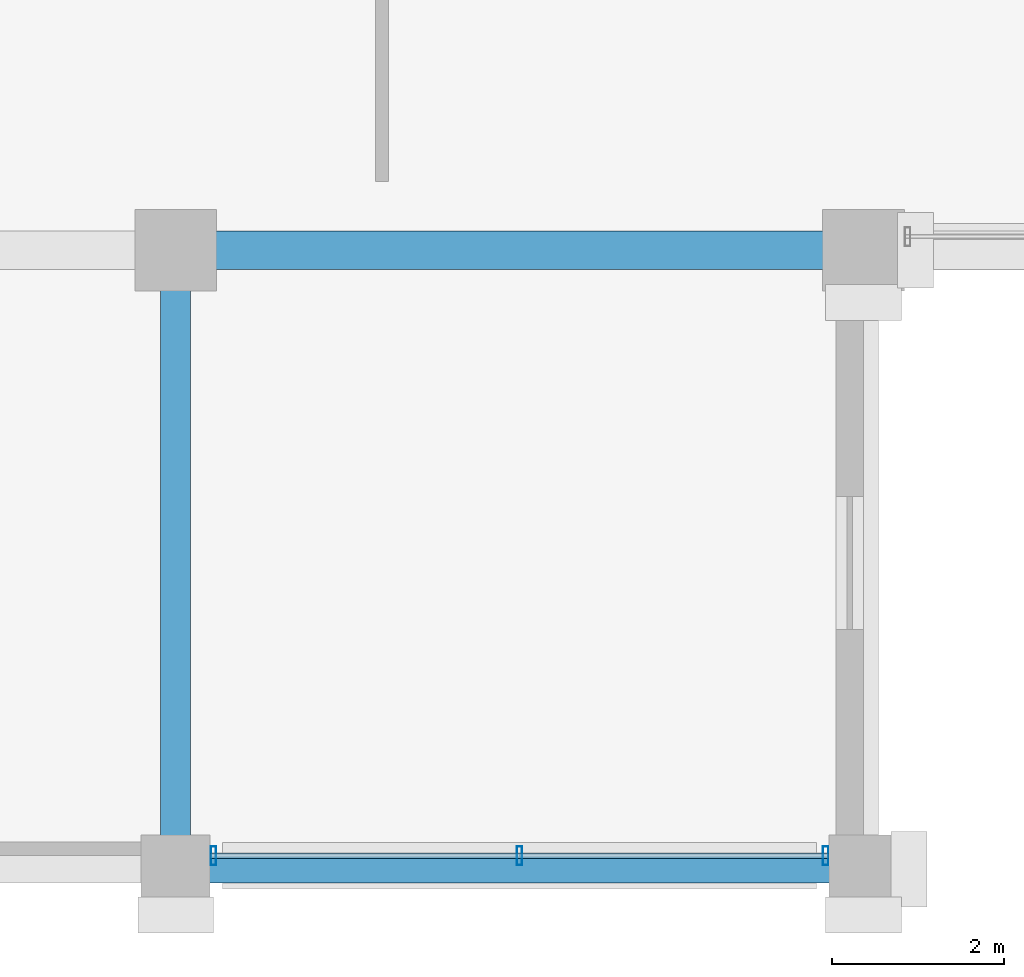
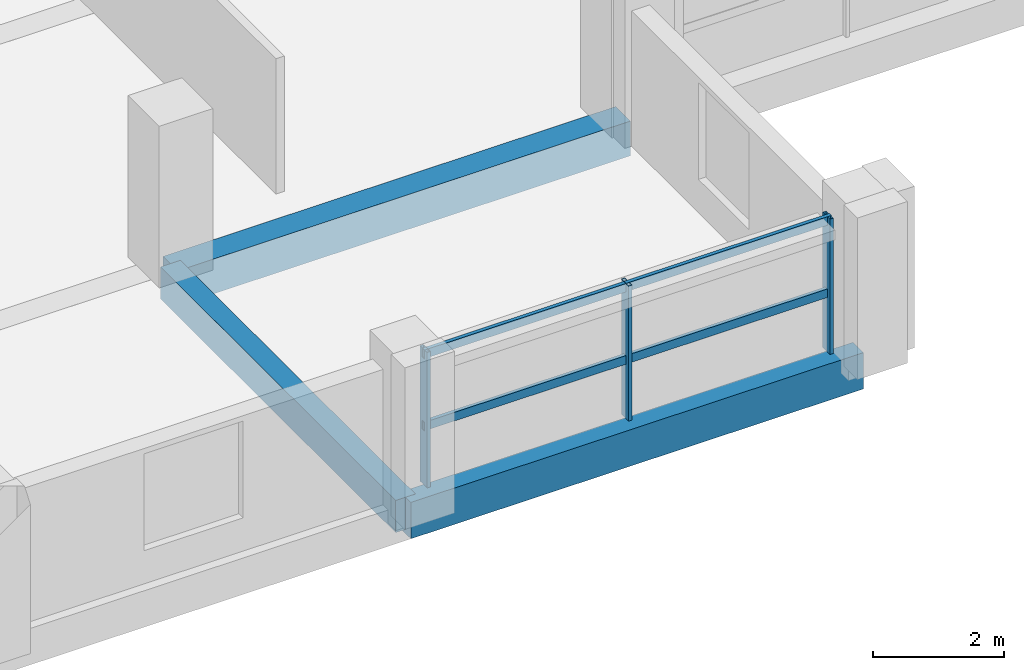
# One storey, part 2 of 23: 5 members, 3 beams, 1 element without a shape of its own.
"""IFC4 building model written with IfcOpenShell, lengths in metres."""

import ifcopenshell
import ifcopenshell.guid

model = None  # the IFC model being written
_history = None  # IfcOwnerHistory: only IFC2X3 demands one
_inside = {}  # id of a spatial element -> (the spatial element, [elements in it])
_under = {}  # id of a project, library or spatial element -> (it, [spatial elements below it])
_declared = {}  # id of a project -> (the project, [libraries it declares])
_typed = {}  # id of a type object -> (the type object, [elements of that type])
_made_of = {}  # id of a material, layer set ... -> (it, [elements and type objects made of it])


def new_model(schema):
    """Start an empty IFC model of exactly this schema.

    Asked for "IFC4X3", IfcOpenShell would pick the latest addendum, in which some entities
    have other attributes; the version numbers below select the first issue.
    IFC2X3 requires an IfcOwnerHistory on every rooted entity: one is made here for all.
    """
    global model, _history
    if schema == "IFC4X3":
        model = ifcopenshell.file(schema_version=(4, 3, 0, 0))
    else:
        model = ifcopenshell.file(schema=schema)
    _inside.clear()
    _under.clear()
    _declared.clear()
    _typed.clear()
    _made_of.clear()
    _history = None
    if model.schema == "IFC2X3":
        org = make("IfcOrganization", Name="unknown")
        user = make(
            "IfcPersonAndOrganization",
            ThePerson=make("IfcPerson", FamilyName="unknown"),
            TheOrganization=org,
        )
        app = make(
            "IfcApplication",
            ApplicationDeveloper=org,
            Version="unknown",
            ApplicationFullName="unknown",
            ApplicationIdentifier="unknown",
        )
        _history = make(
            "IfcOwnerHistory",
            OwningUser=user,
            OwningApplication=app,
            ChangeAction="ADDED",
            CreationDate=0,
        )
    return model


def make(cls, **values):
    """One entity of the class cls with the attributes given. An attribute that is None is left unset."""
    return model.create_entity(
        cls, **{name: value for name, value in values.items() if value is not None}
    )


def rooted(cls, **values):
    """An entity with a GlobalId (a new one), such as an element, a storey or a relation."""
    return make(cls, GlobalId=ifcopenshell.guid.new(), OwnerHistory=_history, **values)


def si_unit(unit_type, name, prefix=None):
    """IfcSIUnit, for example si_unit("LENGTHUNIT", "METRE", prefix="MILLI")."""
    return make("IfcSIUnit", UnitType=unit_type, Prefix=prefix, Name=name)


def assignment(units):
    """IfcUnitAssignment: the units of a project."""
    return None if units is None else make("IfcUnitAssignment", Units=units)


def point(xyz):
    """IfcCartesianPoint."""
    return None if xyz is None else make("IfcCartesianPoint", Coordinates=xyz)


def direction(xyz):
    """IfcDirection."""
    return None if xyz is None else make("IfcDirection", DirectionRatios=xyz)


def frame(location, z_axis=None, x_axis=None):
    """IfcAxis2Placement3D, a coordinate frame: its origin and axes. An axis left out is left unset."""
    return make(
        "IfcAxis2Placement3D",
        Location=point(location),
        Axis=direction(z_axis),
        RefDirection=direction(x_axis),
    )


def frame_2d(location, x_axis=None):
    """IfcAxis2Placement2D, a coordinate frame in the plane: its origin and x axis."""
    return make(
        "IfcAxis2Placement2D", Location=point(location), RefDirection=direction(x_axis)
    )


def origin():
    """The frame at (0, 0, 0) with its axes left unset."""
    return frame((0.0, 0.0, 0.0))


def origin_2d():
    """The frame at (0, 0) in the plane with its x axis left unset."""
    return frame_2d((0.0, 0.0))


def place(relative_to, where):
    """IfcLocalPlacement: puts the frame where relative to a parent placement (None: the world)."""
    return make(
        "IfcLocalPlacement", PlacementRelTo=relative_to, RelativePlacement=where
    )


def context(
    kind, dimensions, precision=None, world=None, true_north=None, identifier=None
):
    """IfcGeometricRepresentationContext, for example the 3D "Model" context."""
    return make(
        "IfcGeometricRepresentationContext",
        ContextIdentifier=identifier,
        ContextType=kind,
        CoordinateSpaceDimension=dimensions,
        Precision=precision,
        WorldCoordinateSystem=world,
        TrueNorth=true_north,
    )


def subcontext(parent, identifier, kind, view, scale=None):
    """IfcGeometricRepresentationSubContext, for example "Body" below "Model"."""
    return make(
        "IfcGeometricRepresentationSubContext",
        ContextIdentifier=identifier,
        ContextType=kind,
        ParentContext=parent,
        TargetScale=scale,
        TargetView=view,
    )


def project(units=None, contexts=None):
    """IfcProject with its units and contexts."""
    return rooted(
        "IfcProject",
        Name="project",
        RepresentationContexts=contexts,
        UnitsInContext=assignment(units),
    )


def spatial(cls, under=None, at=None, **own):
    """A site, building, storey or space (cls), placed at a placement, below another one or the project."""
    s = rooted(cls, ObjectPlacement=at, **own)
    if under is not None:
        _under.setdefault(under.id(), (under, []))[1].append(s)
    return s


def profile(cls, at=None, kind="AREA", **sizes):
    """A parametric profile (cls). Its sizes go by their IFC names, for example OverallWidth=200.0."""
    return make(cls, ProfileType=kind, Position=at, **sizes)


def rectangle(**sizes):
    """IfcRectangleProfileDef."""
    return profile("IfcRectangleProfileDef", **sizes)


def hollow_rectangle(**sizes):
    """IfcRectangleHollowProfileDef."""
    return profile("IfcRectangleHollowProfileDef", **sizes)


def extrude(swept, where, along, depth):
    """IfcExtrudedAreaSolid: the profile swept, set in the frame where, extruded along a direction by depth."""
    return make(
        "IfcExtrudedAreaSolid",
        SweptArea=swept,
        Position=where,
        ExtrudedDirection=direction(along),
        Depth=depth,
    )


def shape(context_of_items, identifier, shape_type, items):
    """IfcShapeRepresentation: the items that make up one representation, for example the "Body"."""
    return make(
        "IfcShapeRepresentation",
        ContextOfItems=context_of_items,
        RepresentationIdentifier=identifier,
        RepresentationType=shape_type,
        Items=items,
    )


def material(Name=None, Category=None):
    """IfcMaterial."""
    return make("IfcMaterial", Name=Name, Category=Category)


def material_profile(
    of_material, cross_section, Name=None, Category=None, Priority=None
):
    """IfcMaterialProfile: a cross section and its material."""
    return make(
        "IfcMaterialProfile",
        Name=Name,
        Material=of_material,
        Profile=cross_section,
        Priority=Priority,
        Category=Category,
    )


def profile_set(profiles, Name=None, composite=None):
    """IfcMaterialProfileSet."""
    return make(
        "IfcMaterialProfileSet",
        Name=Name,
        MaterialProfiles=profiles,
        CompositeProfile=composite,
    )


def made_of(thing, what):
    """Note that an element or type object is made of a material, layer set ...; save() writes the relation."""
    if what is not None:
        _made_of.setdefault(what.id(), (what, []))[1].append(thing)
    return thing


def type_object(cls, material=None, **own):
    """A type object (cls), such as IfcWallType, which elements share."""
    return made_of(rooted(cls, **own), material)


def element(
    cls,
    number,
    at=None,
    inside=None,
    cuts=None,
    type_object=None,
    material=None,
    context=None,
    identifier="Body",
    shape_type=None,
    held_by="IfcProductDefinitionShape",
    body=None,
    shapes=None,
    **own,
):
    """One element of the class cls, such as IfcWall. Its Tag is "e" and its number.

    at: its placement. inside: the storey or other place that contains it. cuts: it is an
    opening in that element (IfcRelVoidsElement). A single representation is given by context,
    identifier, shape_type and body (its items); several are given by shapes. held_by: the class
    of the entity that holds the representations. save() writes the other relations.
    """
    e = rooted(cls, Tag="e%d" % number, ObjectPlacement=at, **own)
    if body is not None:
        shapes = [shape(context, identifier, shape_type, body)]
    if shapes is not None:
        e.Representation = make(held_by, Representations=shapes)
    if inside is not None:
        _inside.setdefault(inside.id(), (inside, []))[1].append(e)
    if cuts is not None:
        rooted(
            "IfcRelVoidsElement", RelatingBuildingElement=cuts, RelatedOpeningElement=e
        )
    if type_object is not None:
        _typed.setdefault(type_object.id(), (type_object, []))[1].append(e)
    return made_of(e, material)


def aggregate(whole, parts):
    """IfcRelAggregates: a whole, such as a stair, and the parts it consists of."""
    return rooted("IfcRelAggregates", RelatingObject=whole, RelatedObjects=parts)


def save(model, path):
    """Write the relations noted so far, then the file.

    IfcRelAggregates (storeys below a building ...), IfcRelContainedInSpatialStructure (elements
    in a storey), IfcRelDefinesByType, IfcRelAssociatesMaterial and IfcRelDeclares: one each for
    every whole, place, type object, material and project.
    """
    for whole, parts in _under.values():
        aggregate(whole, parts)
    for where, things in _inside.values():
        rooted(
            "IfcRelContainedInSpatialStructure",
            RelatedElements=things,
            RelatingStructure=where,
        )
    for kind, things in _typed.values():
        rooted("IfcRelDefinesByType", RelatedObjects=things, RelatingType=kind)
    for what, things in _made_of.values():
        rooted("IfcRelAssociatesMaterial", RelatedObjects=things, RelatingMaterial=what)
    for by, libraries in _declared.values():
        rooted("IfcRelDeclares", RelatingContext=by, RelatedDefinitions=libraries)
    model.write(path)


model = new_model("IFC4")

# Units and contexts
model_context = context("Model", 3, precision=1e-05, world=origin(), true_north=direction((0.0, 1.0)))
body_context = subcontext(model_context, "Body", "Model", "MODEL_VIEW")
ifc_project = project(units=[si_unit("LENGTHUNIT", "METRE"), si_unit("AREAUNIT", "SQUARE_METRE"), si_unit("VOLUMEUNIT", "CUBIC_METRE"), si_unit("PLANEANGLEUNIT", "RADIAN"), si_unit("MASSUNIT", "GRAM", prefix="KILO")], contexts=[model_context])

# Site, building, storey
site_placement = place(None, origin())
site = spatial("IfcSite", under=ifc_project, at=site_placement, CompositionType="ELEMENT")
building_placement = place(site_placement, origin())
building = spatial("IfcBuilding", under=site, at=building_placement, Name="Akrevak Sports Hall", CompositionType="ELEMENT")
storey_placement = place(building_placement, frame((0.0, 0.0, 43.800048828125)))
storey = spatial("IfcBuildingStorey", under=building, at=storey_placement, Name="L10", CompositionType="ELEMENT", Elevation=43.800048828125)

# Curtain wall, members
ifc_material_1 = material(Name="Anodized Bronze Aluminium & Low-E Glass", Category="aluminium")
curtain_wall_type = type_object("IfcCurtainWallType", Name="ARC-CW-TWR-64x30", PredefinedType="NOTDEFINED", material=ifc_material_1)
curtain_wall_placement = place(storey_placement, origin())
curtain_wall = element("IfcCurtainWall", 1, at=curtain_wall_placement, inside=storey, type_object=curtain_wall_type, Name="Curtain Wall CW-L10-S02", PredefinedType="NOTDEFINED")
ifc_material_2 = material(Name="Anodized Bronze Aluminium", Category="aluminium")
ifc_material_profile_1 = material_profile(ifc_material_2, hollow_rectangle(XDim=0.06494140625, YDim=0.219970703125, WallThickness=0.00439453125, at=origin_2d()), Name="CWM 65x220", Category="aluminium")
ifc_profile_set_1 = profile_set([ifc_material_profile_1], Name="Anodized Bronze Aluminium")
member_type_1 = type_object("IfcMemberType", Name="ARC-CWM-70x160", PredefinedType="MULLION", material=ifc_profile_set_1)
member_1_placement = place(storey_placement, frame((60.43994140625, 21.760009765625, 0.0), z_axis=(0.0, 0.0, 1.0), x_axis=(1.0, 0.0, 0.0)))
member_1 = element("IfcMember", 2, at=member_1_placement, type_object=member_type_1, Name="Curtain Wall Mullion CW-L10-S02-M1", PredefinedType="MULLION", context=body_context, shape_type="SweptSolid", body=[
    extrude(hollow_rectangle(XDim=0.06494140625, YDim=0.219970703125, WallThickness=0.00439453125, at=origin_2d()), origin(), (0.0, 0.0, 1.0), 2.530029296875),
])
member_2_placement = place(storey_placement, frame((64.0, 21.760009765625, 0.0), z_axis=(0.0, 0.0, 1.0), x_axis=(1.0, 0.0, 0.0)))
member_2 = element("IfcMember", 3, at=member_2_placement, type_object=member_type_1, Name="Curtain Wall Mullion CW-L10-S02-M2", PredefinedType="MULLION", context=body_context, shape_type="SweptSolid", body=[
    extrude(hollow_rectangle(XDim=0.06494140625, YDim=0.219970703125, WallThickness=0.00439453125, at=origin_2d()), origin(), (0.0, 0.0, 1.0), 2.530029296875),
])
member_3_placement = place(storey_placement, frame((67.56005859375, 21.760009765625, 0.0), z_axis=(0.0, 0.0, 1.0), x_axis=(1.0, 0.0, 0.0)))
member_3 = element("IfcMember", 4, at=member_3_placement, type_object=member_type_1, Name="Curtain Wall Mullion CW-L10-S02-M3", PredefinedType="MULLION", context=body_context, shape_type="SweptSolid", body=[
    extrude(hollow_rectangle(XDim=0.06494140625, YDim=0.219970703125, WallThickness=0.00439453125, at=origin_2d()), origin(), (0.0, 0.0, 1.0), 2.530029296875),
])
ifc_material_profile_2 = material_profile(ifc_material_2, hollow_rectangle(XDim=0.06494140625, YDim=0.159912109375, WallThickness=0.00390625, at=origin_2d()), Name="CWT 65x160", Category="aluminium")
ifc_profile_set_2 = profile_set([ifc_material_profile_2], Name="Anodized Bronze Aluminium")
member_type_2 = type_object("IfcMemberType", Name="ARC-CWT-70x130", PredefinedType="USERDEFINED", material=ifc_profile_set_2)
member_4_placement = place(storey_placement, frame((60.39990234375, 21.760009765625, 1.099853515625), z_axis=(1.0, 0.0, 0.0), x_axis=(0.0, 1.0, 0.0)))
member_4 = element("IfcMember", 5, at=member_4_placement, type_object=member_type_2, Name="Curtain Wall Transom CW-L10-S02-T1", ObjectType="TRANSOM", PredefinedType="USERDEFINED", context=body_context, shape_type="SweptSolid", body=[
    extrude(hollow_rectangle(XDim=0.06494140625, YDim=0.159912109375, WallThickness=0.00390625, at=origin_2d()), origin(), (0.0, 0.0, 1.0), 7.2001953125),
])
member_5_placement = place(storey_placement, frame((60.39990234375, 21.760009765625, 2.449951171875), z_axis=(1.0, 0.0, 0.0), x_axis=(0.0, 1.0, 0.0)))
member_5 = element("IfcMember", 6, at=member_5_placement, type_object=member_type_2, Name="Curtain Wall Transom CW-L10-S02-T2", ObjectType="TRANSOM", PredefinedType="USERDEFINED", context=body_context, shape_type="SweptSolid", body=[
    extrude(hollow_rectangle(XDim=0.06494140625, YDim=0.159912109375, WallThickness=0.00390625, at=origin_2d()), origin(), (0.0, 0.0, 1.0), 7.2001953125),
])
aggregate(curtain_wall, [member_1, member_2, member_3, member_4, member_5])

# Beams
ifc_material_3 = material(Name="Concrete C40/50", Category="concrete")
ifc_material_profile_3 = material_profile(ifc_material_3, rectangle(XDim=0.35009765625, YDim=0.60009765625, at=origin_2d()), Name="BM 350x600", Category="concrete")
ifc_profile_set_3 = profile_set([ifc_material_profile_3], Name="Concrete C40/50")
beam_type_1 = type_object("IfcBeamType", Name="STR-BM-RC350x600", PredefinedType="BEAM", material=ifc_profile_set_3)
beam_1_placement = place(storey_placement, frame((60.0, 21.60009765625, -0.300048828125), z_axis=(0.0, 1.0, 0.0), x_axis=(-1.0, 0.0, 0.0)))
element("IfcBeam", 7, at=beam_1_placement, inside=storey, type_object=beam_type_1, Name="Girder 9/D-E (L10)", PredefinedType="BEAM", context=body_context, shape_type="SweptSolid", body=[
    extrude(rectangle(XDim=0.35009765625, YDim=0.60009765625, at=origin_2d()), origin(), (0.0, 0.0, 1.0), 7.199951171875),
])
ifc_material_profile_4 = material_profile(ifc_material_3, rectangle(XDim=0.449951171875, YDim=0.64990234375, at=origin_2d()), Name="BM 450x650", Category="concrete")
ifc_profile_set_4 = profile_set([ifc_material_profile_4], Name="Concrete C40/50")
beam_type_2 = type_object("IfcBeamType", Name="STR-BM-RC450x650", PredefinedType="BEAM", material=ifc_profile_set_4)
beam_2_placement = place(storey_placement, frame((60.0, 28.800048828125, -0.324951171875), z_axis=(1.0, 0.0, 0.0), x_axis=(0.0, 1.0, 0.0)))
element("IfcBeam", 8, at=beam_2_placement, inside=storey, type_object=beam_type_2, Name="Girder E/9-10 (L10)", PredefinedType="BEAM", context=body_context, shape_type="SweptSolid", body=[
    extrude(rectangle(XDim=0.449951171875, YDim=0.64990234375, at=origin_2d()), origin(), (0.0, 0.0, 1.0), 8.0),
])
ifc_material_profile_5 = material_profile(ifc_material_3, rectangle(XDim=0.320068359375, YDim=0.679931640625, at=origin_2d()), Name="SPD 320x680", Category="concrete")
ifc_profile_set_5 = profile_set([ifc_material_profile_5], Name="Concrete C40/50")
beam_type_3 = type_object("IfcBeamType", Name="STR-SPD-RC320x680", PredefinedType="SPANDREL", material=ifc_profile_set_5)
beam_3_placement = place(storey_placement, frame((60.0, 21.60009765625, -0.340087890625), z_axis=(1.0, 0.0, 0.0), x_axis=(0.0, 1.0, 0.0)))
element("IfcBeam", 9, at=beam_3_placement, inside=storey, type_object=beam_type_3, Name="Girder D/9-10 (L10)", PredefinedType="SPANDREL", context=body_context, shape_type="SweptSolid", body=[
    extrude(rectangle(XDim=0.320068359375, YDim=0.679931640625, at=origin_2d()), origin(), (0.0, 0.0, 1.0), 8.0),
])

save(model, "model.ifc")
